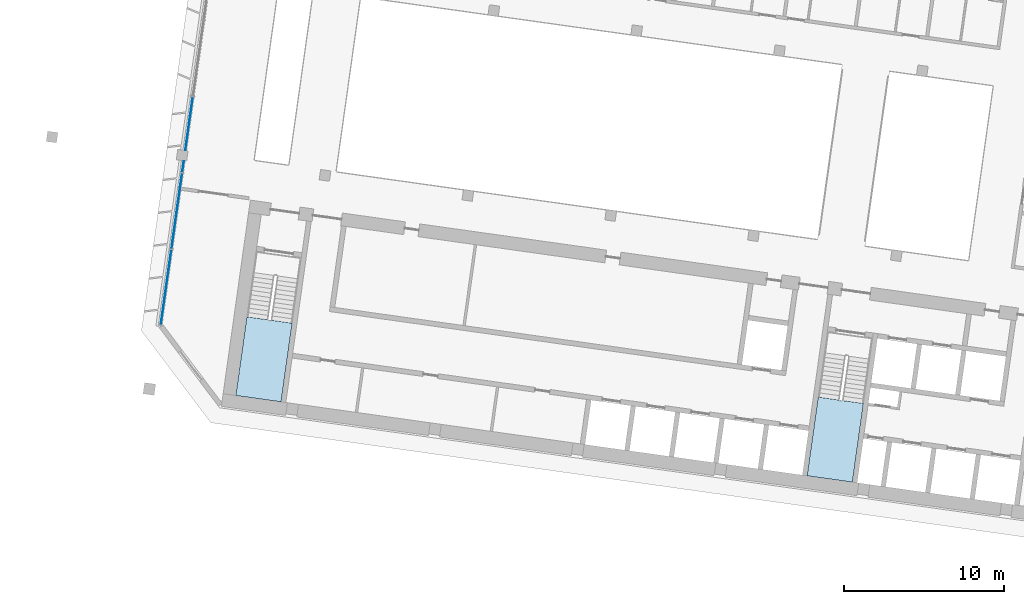
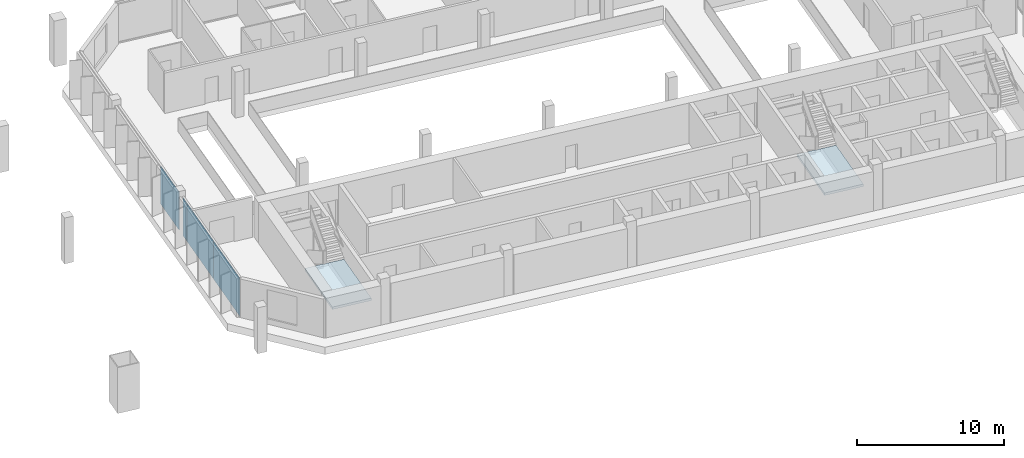
# One storey, part 12 of 26: 4 plates, 2 slabs, 3 elements without a shape of their own.
"""IFC4 building model written with IfcOpenShell, lengths in metres."""

from ifc_helpers import new_model, si_unit, direction, frame, origin, origin_2d, place, context, subcontext, project, spatial, polyline, rectangle, outline, extrude, material, layer, layer_set, type_object, element, aggregate, save


model = new_model("IFC4")

# Units and contexts
model_context = context("Model", 3, precision=1e-05, world=origin(), true_north=direction((0.0, 1.0)))
body_context = subcontext(model_context, "Body", "Model", "MODEL_VIEW")
ifc_project = project(units=[si_unit("LENGTHUNIT", "METRE"), si_unit("AREAUNIT", "SQUARE_METRE"), si_unit("VOLUMEUNIT", "CUBIC_METRE"), si_unit("PLANEANGLEUNIT", "RADIAN"), si_unit("MASSUNIT", "GRAM", prefix="KILO")], contexts=[model_context])

# Site, building, storey
site_placement = place(None, origin())
site = spatial("IfcSite", under=ifc_project, at=site_placement, CompositionType="ELEMENT")
building_placement = place(site_placement, origin())
building = spatial("IfcBuilding", under=site, at=building_placement, Name="Mirante Cascada Hotel Towers", CompositionType="ELEMENT")
storey_placement = place(building_placement, frame((0.0, 0.0, 98.7)))
storey = spatial("IfcBuildingStorey", under=building, at=storey_placement, Name="L21", CompositionType="ELEMENT", Elevation=98.7)

# Curtain wall, plates
ifc_material_1 = material(Name="Aluminium mullion and transom frame with clear laminated glass", Category="aluminium")
curtain_wall_type = type_object("IfcCurtainWallType", Name="End ribbon curtain wall ECW2", PredefinedType="NOTDEFINED", material=ifc_material_1)
curtain_wall_placement = place(storey_placement, origin())
curtain_wall = element("IfcCurtainWall", 1, at=curtain_wall_placement, inside=storey, type_object=curtain_wall_type, Name="Outer end wall T1 L21", PredefinedType="NOTDEFINED")
ifc_material_2 = material(Name="Clear laminated glass", Category="glass")
ifc_layer_1 = layer(ifc_material_2, 0.034)
ifc_layer_set_1 = layer_set([ifc_layer_1], Name="ECW2 glass panel 34")
plate_type = type_object("IfcPlateType", Name="ECW2 glass panel 34", PredefinedType="CURTAIN_PANEL", material=ifc_layer_set_1)
plate_1_placement = place(storey_placement, frame((-93.9106, -5.1513, 0.1), z_axis=(0.0, 0.0, 1.0), x_axis=(0.1391731, 0.9902681, 0.0)))
plate_1 = element("IfcPlate", 2, at=plate_1_placement, type_object=plate_type, Name="ECW2 panel 1", PredefinedType="CURTAIN_PANEL", context=body_context, shape_type="SweptSolid", body=[
    extrude(rectangle(XDim=4.7151, YDim=0.034, at=origin_2d()), origin(), (0.0, 0.0, 1.0), 3.15),
])
plate_2_placement = place(storey_placement, frame((-93.243, -0.4017, 0.1), z_axis=(0.0, 0.0, 1.0), x_axis=(0.1391731, 0.9902681, 0.0)))
plate_2 = element("IfcPlate", 3, at=plate_2_placement, type_object=plate_type, Name="ECW2 panel 2", PredefinedType="CURTAIN_PANEL", context=body_context, shape_type="SweptSolid", body=[
    extrude(rectangle(XDim=4.7476, YDim=0.034, at=origin_2d()), origin(), (0.0, 0.0, 1.0), 3.15),
])
plate_3_placement = place(storey_placement, frame((-92.8542, 2.365, 0.1), z_axis=(0.0, 0.0, 1.0), x_axis=(0.1391731, 0.9902681, 0.0)))
plate_3 = element("IfcPlate", 4, at=plate_3_placement, type_object=plate_type, Name="ECW2 panel 3", PredefinedType="CURTAIN_PANEL", context=body_context, shape_type="SweptSolid", body=[
    extrude(rectangle(XDim=0.7101, YDim=0.034, at=origin_2d()), origin(), (0.0, 0.0, 1.0), 3.15),
])
plate_4_placement = place(storey_placement, frame((-92.4758, 5.0574, 0.1), z_axis=(0.0, 0.0, 1.0), x_axis=(0.1391731, 0.9902681, 0.0)))
plate_4 = element("IfcPlate", 5, at=plate_4_placement, type_object=plate_type, Name="ECW2 panel 3", PredefinedType="CURTAIN_PANEL", context=body_context, shape_type="SweptSolid", body=[
    extrude(rectangle(XDim=3.3475, YDim=0.034, at=origin_2d()), origin(), (0.0, 0.0, 1.0), 3.15),
])
aggregate(curtain_wall, [plate_1, plate_2, plate_3, plate_4])

# Stair, slab
ifc_material_3 = material(Name="Concrete C35/45", Category="concrete")
stair_type = type_object("IfcStairType", Name="Exit stair half-turn 1350 concrete C35/45", PredefinedType="HALF_TURN_STAIR", material=ifc_material_3)
stair_1_placement = place(storey_placement, origin())
stair_1 = element("IfcStair", 6, at=stair_1_placement, inside=storey, type_object=stair_type, Name="L21 Exit stair B", PredefinedType="HALF_TURN_STAIR")
ifc_material_4 = material(Name="Concrete C35/45", Category="concrete")
ifc_layer_2 = layer(ifc_material_4, 0.2)
ifc_layer_set_2 = layer_set([ifc_layer_2], Name="Exit stair landing 200 concrete C35/45")
slab_type = type_object("IfcSlabType", Name="Exit stair landing 200 concrete C35/45", PredefinedType="LANDING", material=ifc_layer_set_2)
slab_1_placement = place(storey_placement, frame((0.0, 0.0, 1.7)))
slab_1 = element("IfcSlab", 7, at=slab_1_placement, type_object=slab_type, Name="ST1-B landing 1", PredefinedType="LANDING", context=body_context, shape_type="SweptSolid", body=[
    extrude(outline(polyline([(-53.2188, -12.008), (-53.9088, -16.9177), (-51.0866, -17.3144), (-50.3965, -12.4046), (-53.2188, -12.008)])), origin(), (0.0, 0.0, 1.0), 0.2),
])
aggregate(stair_1, [slab_1])

stair_2_placement = place(storey_placement, origin())
stair_2 = element("IfcStair", 8, at=stair_2_placement, inside=storey, type_object=stair_type, Name="L21 Exit stair C", PredefinedType="HALF_TURN_STAIR")
slab_2_placement = place(storey_placement, frame((0.0, 0.0, 1.7)))
slab_2 = element("IfcSlab", 9, at=slab_2_placement, type_object=slab_type, Name="ST1-C landing 1", PredefinedType="LANDING", context=body_context, shape_type="SweptSolid", body=[
    extrude(outline(polyline([(-88.8685, -6.9977), (-89.5585, -11.9075), (-86.7362, -12.3041), (-86.0462, -7.3944), (-88.8685, -6.9977)])), origin(), (0.0, 0.0, 1.0), 0.2),
])
aggregate(stair_2, [slab_2])

save(model, "model.ifc")
